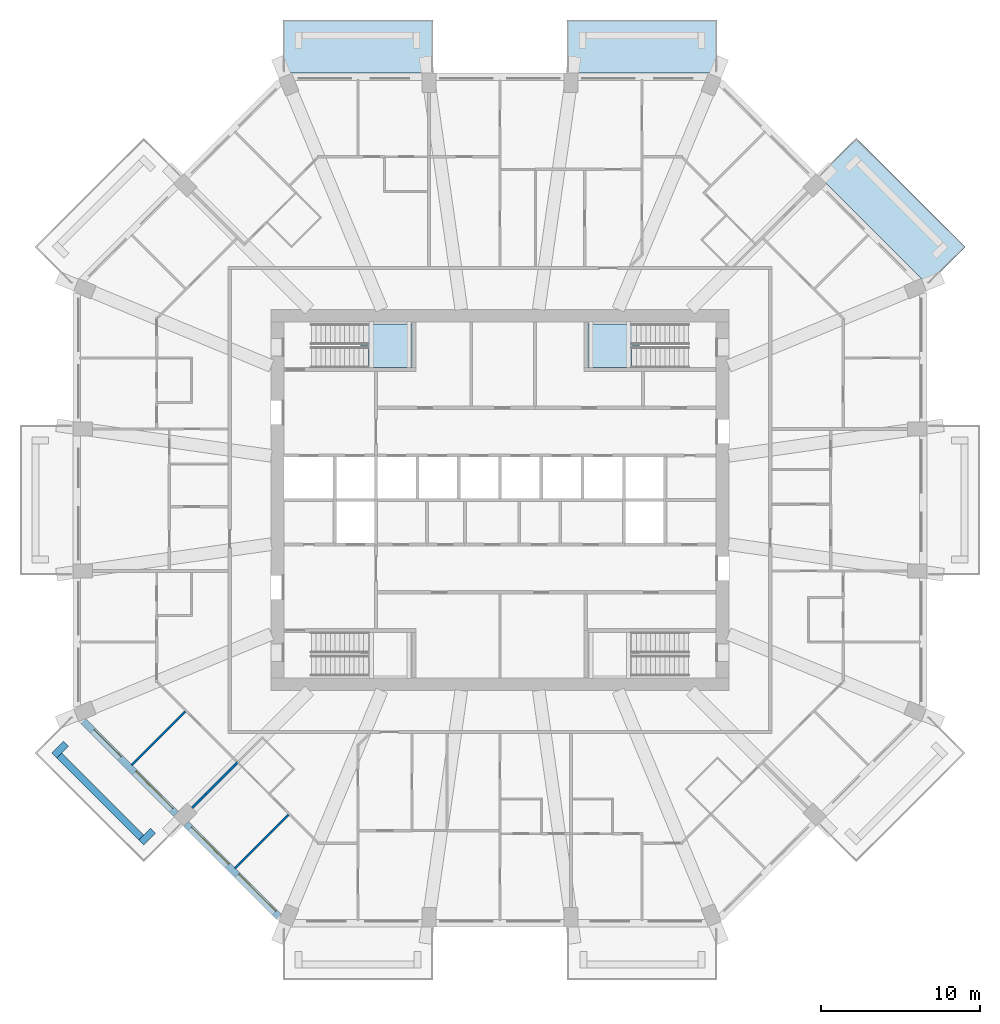
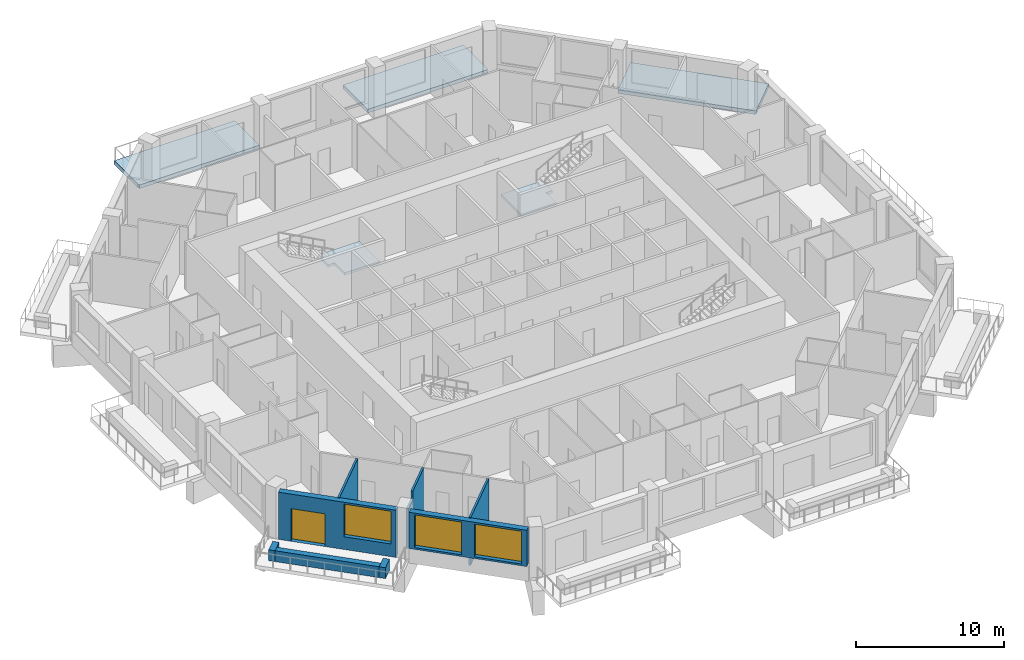
# One storey, part 2 of 13: 9 walls, 5 slabs, 3 windows, 1 door, 4 openings, 2 elements without a shape of their own.
"""IFC4 building model written with IfcOpenShell, lengths in metres."""

from ifc_helpers import new_model, si_unit, direction, frame, frame_2d, origin, place, context, subcontext, project, spatial, polyline, rectangle, outline, extrude, material, layer, layer_set, type_object, element, fill, aggregate, save


model = new_model("IFC4")

# Units and contexts
model_context = context("Model", 3, precision=1e-05, world=origin(), true_north=direction((0.0, 1.0)))
body_context = subcontext(model_context, "Body", "Model", "MODEL_VIEW")
ifc_project = project(units=[si_unit("LENGTHUNIT", "METRE"), si_unit("AREAUNIT", "SQUARE_METRE"), si_unit("VOLUMEUNIT", "CUBIC_METRE"), si_unit("PLANEANGLEUNIT", "RADIAN"), si_unit("MASSUNIT", "GRAM", prefix="KILO")], contexts=[model_context])

# Site, building, storey
site_placement = place(None, origin())
site = spatial("IfcSite", under=ifc_project, at=site_placement, CompositionType="ELEMENT")
building_placement = place(site_placement, origin())
building = spatial("IfcBuilding", under=site, at=building_placement, Name="Msitu Wima Residences", CompositionType="ELEMENT")
storey_placement = place(building_placement, frame((0.0, 0.0, 106.5)))
storey = spatial("IfcBuildingStorey", under=building, at=storey_placement, Name="L24", CompositionType="ELEMENT", Elevation=106.5)

# Slabs
ifc_material_1 = material(Name="Concrete C40/50", Category="concrete")
ifc_layer_1 = layer(ifc_material_1, 0.300048828125)
ifc_layer_set_1 = layer_set([ifc_layer_1], Name="Concrete C40/50")
slab_type_1 = type_object("IfcSlabType", Name="Balcony slab BS300", PredefinedType="FLOOR", material=ifc_layer_set_1)
slab_1_placement = place(storey_placement, frame((0.0, 0.0, -0.300048828125)))
element("IfcSlab", 1, at=slab_1_placement, inside=storey, type_object=slab_type_1, Name="Balcony NE0 L24", PredefinedType="FLOOR", context=body_context, shape_type="SweptSolid", body=[
    extrude(outline(polyline([(22.4130859375, 22.766845703125), (29.263671875, 15.916015625), (27.003662109375, 13.656005859375), (26.85009765625, 13.59228515625), (20.04443359375, 20.39794921875), (22.4130859375, 22.766845703125)])), origin(), (0.0, 0.0, 1.0), 0.300048828125),
])
slab_2_placement = place(storey_placement, frame((0.0, 0.0, -0.300048828125)))
element("IfcSlab", 2, at=slab_2_placement, inside=storey, type_object=slab_type_1, Name="Balcony N0 L24", PredefinedType="FLOOR", context=body_context, shape_type="SweptSolid", body=[
    extrude(outline(polyline([(13.105224609375, 26.85009765625), (13.105224609375, 26.85009765625), (4.918701171875, 26.85009765625), (4.918701171875, 26.85009765625), (4.21875, 26.85009765625), (4.21875, 30.199951171875), (13.656005859375, 30.199951171875), (13.656005859375, 27.003662109375), (13.59228515625, 26.85009765625), (13.105224609375, 26.85009765625), (13.105224609375, 26.85009765625)])), origin(), (0.0, 0.0, 1.0), 0.300048828125),
])
slab_3_placement = place(storey_placement, frame((0.0, 0.0, -0.300048828125)))
element("IfcSlab", 3, at=slab_3_placement, inside=storey, type_object=slab_type_1, Name="Balcony N2 L24", PredefinedType="FLOOR", context=body_context, shape_type="SweptSolid", body=[
    extrude(outline(polyline([(-13.105224609375, 26.85009765625), (-13.105224609375, 26.85009765625), (-13.59228515625, 26.85009765625), (-13.656005859375, 27.003662109375), (-13.656005859375, 30.199951171875), (-4.21875, 30.199951171875), (-4.21875, 26.85009765625), (-4.918701171875, 26.85009765625), (-4.918701171875, 26.85009765625), (-13.105224609375, 26.85009765625), (-13.105224609375, 26.85009765625)])), origin(), (0.0, 0.0, 1.0), 0.300048828125),
])

# Stair, slab
stair_type = type_object("IfcStairType", Name="Exit stair ES1615-130", PredefinedType="HALF_TURN_STAIR", material=ifc_material_1)
stair_1_placement = place(storey_placement, origin())
stair_1 = element("IfcStair", 4, at=stair_1_placement, inside=storey, type_object=stair_type, Name="Exit stair 1", PredefinedType="HALF_TURN_STAIR")
ifc_layer_2 = layer(ifc_material_1, 0.199951171875)
ifc_layer_set_2 = layer_set([ifc_layer_2], Name="Concrete C40/50")
slab_type_2 = type_object("IfcSlabType", Name="Stair landing SL200", PredefinedType="LANDING", material=ifc_layer_set_2)
slab_4_placement = place(storey_placement, frame((0.0, 0.0, 1.89990234375)))
slab_4 = element("IfcSlab", 5, at=slab_4_placement, type_object=slab_type_2, Name="S1 landing 1", PredefinedType="LANDING", context=body_context, shape_type="SweptSolid", body=[
    extrude(outline(polyline([(-5.52490234375, 8.324951171875), (-8.275390625, 8.324951171875), (-8.275390625, 9.699951171875), (-8.77490234375, 9.699951171875), (-8.77490234375, 11.074951171875), (-5.52490234375, 11.074951171875), (-5.52490234375, 8.324951171875)])), origin(), (0.0, 0.0, 1.0), 0.2001953125),
])
aggregate(stair_1, [slab_4])

stair_2_placement = place(storey_placement, origin())
stair_2 = element("IfcStair", 6, at=stair_2_placement, inside=storey, type_object=stair_type, Name="Exit stair 3", PredefinedType="HALF_TURN_STAIR")
slab_5_placement = place(storey_placement, frame((0.0, 0.0, 1.89990234375)))
slab_5 = element("IfcSlab", 7, at=slab_5_placement, type_object=slab_type_2, Name="S3 landing 1", PredefinedType="LANDING", context=body_context, shape_type="SweptSolid", body=[
    extrude(outline(polyline([(5.52490234375, 8.324951171875), (8.275390625, 8.324951171875), (8.275390625, 9.699951171875), (8.77490234375, 9.699951171875), (8.77490234375, 11.074951171875), (5.52490234375, 11.074951171875), (5.52490234375, 8.324951171875)])), origin(), (0.0, 0.0, 1.0), 0.2001953125),
])
aggregate(stair_2, [slab_5])

# Walls
ifc_material_2 = material(Name="Facing brick")
ifc_layer_3 = layer(ifc_material_2, 0.06494140625, Name="Facing brick")
ifc_layer_4 = layer(ifc_material_1, 0.156005859375, Name="Concrete C40/50")
ifc_material_3 = material(Name="Waterproofing membrane")
ifc_layer_5 = layer(ifc_material_3, 0.00390625, Name="Waterproofing membrane")
ifc_material_4 = material(Name="Planting soil and planting")
ifc_layer_6 = layer(ifc_material_4, 0.22509765625, Name="Planting soil and planting")
ifc_layer_set_3 = layer_set([ifc_layer_3, ifc_layer_4, ifc_layer_5, ifc_layer_6], Name="Concrete C40/50")
wall_type_1 = type_object("IfcWallType", Name="Balcony planter PLANTER PL450", PredefinedType="USERDEFINED", material=ifc_layer_set_3)
wall_1_placement = place(storey_placement, frame((-27.725830078125, -16.0751953125, 0.0), z_axis=(0.0, 0.0, 1.0), x_axis=(0.707106781187, -0.707106781187, 0.0)))
element("IfcWall", 8, at=wall_1_placement, inside=storey, type_object=wall_type_1, Name="Balcony planter SW0 L24", ObjectType="PLANTER", PredefinedType="USERDEFINED", context=body_context, shape_type="SweptSolid", body=[
    extrude(rectangle(XDim=7.288330078125, YDim=0.449951171875, at=frame_2d((3.64404296875, 0.0))), origin(), (0.0, 0.0, 1.0), 0.89990234375),
])
for number, where, z_axis, x_axis, name in (
    (9, (-27.301513671875, -15.332763671875, 0.0), (0.0, 0.0, 1.0), (-0.707106781187, -0.707106781187, 0.0), "Balcony planter SW0 L24"),
    (10, (-21.829833984375, -20.804443359375, 0.0), (0.0, 0.0, 1.0), (-0.707106781187, -0.707106781187, 0.0), "Balcony planter SW0 L24"),
):
    element("IfcWall", number, at=place(storey_placement, frame(where, z_axis=z_axis, x_axis=x_axis)), inside=storey, type_object=wall_type_1, Name=name, ObjectType="PLANTER", PredefinedType="USERDEFINED", context=body_context, shape_type="SweptSolid", body=[
        extrude(rectangle(XDim=1.050048828125, YDim=0.449951171875, at=frame_2d((0.52490234375, 0.0))), origin(), (0.0, 0.0, 1.0), 0.89990234375),
    ])

# Wall, openings, door, window
ifc_material_5 = material(Name="Brick (red buff mix)", Category="masonry")
ifc_layer_7 = layer(ifc_material_5, 0.449951171875)
ifc_layer_set_4 = layer_set([ifc_layer_7], Name="Brick (red buff mix)")
wall_type_2 = type_object("IfcWallType", Name="Brick infill wall BW450", PredefinedType="SOLIDWALL", material=ifc_layer_set_4)
wall_2_placement = place(storey_placement, frame((-26.214599609375, -13.909423828125, 0.0), z_axis=(0.0, 0.0, 1.0), x_axis=(0.707106781187, -0.707106781187, 0.0)))
wall_2 = element("IfcWall", 11, at=wall_2_placement, inside=storey, type_object=wall_type_2, Name="Brick infill wall L24 SW0", PredefinedType="SOLIDWALL", context=body_context, shape_type="SweptSolid", body=[
    extrude(rectangle(XDim=8.251220703125, YDim=0.449951171875, at=frame_2d((4.12548828125, 0.0))), origin(), (0.0, 0.0, 1.0), 3.89990234375),
])
opening_1_placement = place(wall_2_placement, frame((0.86279296875, 0.0, 0.0)))
opening_1 = element("IfcOpeningElement", 12, at=opening_1_placement, cuts=wall_2, Name="Opening D24.009", PredefinedType="OPENING", context=body_context, shape_type="SweptSolid", body=[
    extrude(rectangle(XDim=2.39990234375, YDim=2.699951171875, at=frame_2d((1.199951171875, 1.35009765625))), frame((0.0, 0.23486328125, 0.0), z_axis=(0.0, -1.0, 0.0), x_axis=(1.0, 0.0, 0.0)), (0.0, 0.0, 1.0), 0.469970703125),
])
opening_2_placement = place(wall_2_placement, frame((4.57568359375, 0.0, 1.050048828125)))
opening_2 = element("IfcOpeningElement", 13, at=opening_2_placement, cuts=wall_2, Name="Opening W24.023", PredefinedType="OPENING", context=body_context, shape_type="SweptSolid", body=[
    extrude(rectangle(XDim=3.300048828125, YDim=2.699951171875, at=frame_2d((1.64990234375, 1.35009765625))), frame((0.0, 0.23486328125, 0.0), z_axis=(0.0, -1.0, 0.0), x_axis=(1.0, 0.0, 0.0)), (0.0, 0.0, 1.0), 0.469970703125),
])
ifc_material_6 = material(Name="Anodised aluminium, bronze finish, clear low-emissivity double glazing", Category="aluminium")
door_type = type_object("IfcDoorType", Name="Balcony door D2400x2700", OperationType="SLIDING_TO_LEFT", PredefinedType="DOOR", material=ifc_material_6)
door_placement = place(opening_1_placement, origin())
door = element("IfcDoor", 14, at=door_placement, inside=storey, type_object=door_type, Name="Balcony door L24 SW0", OperationType="SINGLE_SWING_LEFT", OverallHeight=2.699951171875, OverallWidth=2.39990234375, PredefinedType="DOOR", context=body_context, shape_type="SweptSolid", body=[
    extrude(rectangle(XDim=2.39990234375, YDim=2.699951171875, at=frame_2d((1.199951171875, 1.35009765625))), frame((0.0, 0.1298828125, 0.0), z_axis=(0.0, -1.0, 0.0), x_axis=(1.0, 0.0, 0.0)), (0.0, 0.0, 1.0), 0.050048828125),
])
fill(opening_1, door)
window_type = type_object("IfcWindowType", Name="Window W3300x2700", PartitioningType="DOUBLE_PANEL_VERTICAL", PredefinedType="WINDOW", material=ifc_material_6)
window_1_placement = place(opening_2_placement, origin())
window_1 = element("IfcWindow", 15, at=window_1_placement, inside=storey, type_object=window_type, Name="Window L24 SW0.2", OverallHeight=2.699951171875, OverallWidth=3.300048828125, PartitioningType="SINGLE_PANEL", PredefinedType="WINDOW", context=body_context, shape_type="SweptSolid", body=[
    extrude(rectangle(XDim=3.300048828125, YDim=2.699951171875, at=frame_2d((1.64990234375, 1.35009765625))), frame((0.0, 0.135009765625, 0.0), z_axis=(0.0, -1.0, 0.0), x_axis=(1.0, 0.0, 0.0)), (0.0, 0.0, 1.0), 0.06005859375),
])
fill(opening_2, window_1)

# Wall, openings, windows
wall_3_placement = place(storey_placement, frame((-19.743896484375, -20.380126953125, 0.89990234375), z_axis=(0.0, 0.0, 1.0), x_axis=(0.707106781187, -0.707106781187, 0.0)))
wall_3 = element("IfcWall", 16, at=wall_3_placement, inside=storey, type_object=wall_type_2, Name="Brick infill wall L24 SW1", PredefinedType="SOLIDWALL", context=body_context, shape_type="SweptSolid", body=[
    extrude(rectangle(XDim=8.251220703125, YDim=0.449951171875, at=frame_2d((4.12548828125, 0.0))), origin(), (0.0, 0.0, 1.0), 3.0),
])
opening_3_placement = place(wall_3_placement, frame((0.37548828125, 0.0, 0.14990234375)))
opening_3 = element("IfcOpeningElement", 17, at=opening_3_placement, cuts=wall_3, Name="Opening W24.024", PredefinedType="OPENING", context=body_context, shape_type="SweptSolid", body=[
    extrude(rectangle(XDim=3.300048828125, YDim=2.699951171875, at=frame_2d((1.64990234375, 1.35009765625))), frame((0.0, 0.23486328125, 0.0), z_axis=(0.0, -1.0, 0.0), x_axis=(1.0, 0.0, 0.0)), (0.0, 0.0, 1.0), 0.469970703125),
])
opening_4_placement = place(wall_3_placement, frame((4.57568359375, 0.0, 0.14990234375)))
opening_4 = element("IfcOpeningElement", 18, at=opening_4_placement, cuts=wall_3, Name="Opening W24.025", PredefinedType="OPENING", context=body_context, shape_type="SweptSolid", body=[
    extrude(rectangle(XDim=3.300048828125, YDim=2.699951171875, at=frame_2d((1.64990234375, 1.35009765625))), frame((0.0, 0.23486328125, 0.0), z_axis=(0.0, -1.0, 0.0), x_axis=(1.0, 0.0, 0.0)), (0.0, 0.0, 1.0), 0.469970703125),
])
window_2_placement = place(opening_3_placement, origin())
window_2 = element("IfcWindow", 19, at=window_2_placement, inside=storey, type_object=window_type, Name="Window L24 SW1.1", OverallHeight=2.699951171875, OverallWidth=3.300048828125, PartitioningType="SINGLE_PANEL", PredefinedType="WINDOW", context=body_context, shape_type="SweptSolid", body=[
    extrude(rectangle(XDim=3.300048828125, YDim=2.699951171875, at=frame_2d((1.64990234375, 1.35009765625))), frame((0.0, 0.135009765625, 0.0), z_axis=(0.0, -1.0, 0.0), x_axis=(1.0, 0.0, 0.0)), (0.0, 0.0, 1.0), 0.06005859375),
])
fill(opening_3, window_2)
window_3_placement = place(opening_4_placement, origin())
window_3 = element("IfcWindow", 20, at=window_3_placement, inside=storey, type_object=window_type, Name="Window L24 SW1.2", OverallHeight=2.699951171875, OverallWidth=3.300048828125, PartitioningType="SINGLE_PANEL", PredefinedType="WINDOW", context=body_context, shape_type="SweptSolid", body=[
    extrude(rectangle(XDim=3.300048828125, YDim=2.699951171875, at=frame_2d((1.64990234375, 1.35009765625))), frame((0.0, 0.135009765625, 0.0), z_axis=(0.0, -1.0, 0.0), x_axis=(1.0, 0.0, 0.0)), (0.0, 0.0, 1.0), 0.06005859375),
])
fill(opening_4, window_3)

# Walls
ifc_material_7 = material(Name="Plaster")
ifc_layer_8 = layer(ifc_material_7, 0.011962890625, Name="Plaster")
ifc_material_8 = material(Name="Concrete blockwork", Category="masonry")
ifc_layer_9 = layer(ifc_material_8, 0.1259765625, Name="Concrete blockwork")
ifc_layer_10 = layer(ifc_material_7, 0.011962890625, Name="Plaster")
ifc_layer_set_5 = layer_set([ifc_layer_8, ifc_layer_9, ifc_layer_10], Name="Concrete blockwork")
wall_type_3 = type_object("IfcWallType", Name="Partition PW150", PredefinedType="PARTITIONING", material=ifc_layer_set_5)
wall_4_placement = place(storey_placement, frame((-23.1904296875, -16.693359375, 0.0), z_axis=(0.0, 0.0, 1.0), x_axis=(0.707106781187, 0.707106781187, 0.0)))
element("IfcWall", 21, at=wall_4_placement, inside=storey, type_object=wall_type_3, Name="Partition", PredefinedType="PARTITIONING", context=body_context, shape_type="SweptSolid", body=[
    extrude(rectangle(XDim=4.7802734375, YDim=0.14990234375, at=frame_2d((2.39013671875, 0.0))), origin(), (0.0, 0.0, 1.0), 3.949951171875),
])
wall_5_placement = place(storey_placement, frame((-19.37255859375, -19.37255859375, 0.0), z_axis=(0.0, 0.0, 1.0), x_axis=(0.707106781187, 0.707106781187, 0.0)))
element("IfcWall", 22, at=wall_5_placement, inside=storey, type_object=wall_type_3, Name="Partition", PredefinedType="PARTITIONING", context=body_context, shape_type="SweptSolid", body=[
    extrude(rectangle(XDim=1.209228515625, YDim=0.14990234375, at=frame_2d((0.6044921875, 0.0))), origin(), (0.0, 0.0, 1.0), 3.300048828125),
])
wall_6_placement = place(storey_placement, frame((-18.517578125, -18.517578125, 0.0), z_axis=(0.0, 0.0, 1.0), x_axis=(0.707106781187, 0.707106781187, 0.0)))
element("IfcWall", 23, at=wall_6_placement, inside=storey, type_object=wall_type_3, Name="Partition", PredefinedType="PARTITIONING", context=body_context, shape_type="SweptSolid", body=[
    extrude(rectangle(XDim=2.86083984375, YDim=0.14990234375, at=frame_2d((1.430419921875, 0.0))), origin(), (0.0, 0.0, 1.0), 3.949951171875),
])
wall_7_placement = place(storey_placement, frame((-16.693359375, -23.1904296875, 0.0), z_axis=(0.0, 0.0, 1.0), x_axis=(0.707106781187, 0.707106781187, 0.0)))
element("IfcWall", 24, at=wall_7_placement, inside=storey, type_object=wall_type_3, Name="Partition", PredefinedType="PARTITIONING", context=body_context, shape_type="SweptSolid", body=[
    extrude(rectangle(XDim=4.7802734375, YDim=0.14990234375, at=frame_2d((2.39013671875, 0.0))), origin(), (0.0, 0.0, 1.0), 3.949951171875),
])

save(model, "model.ifc")
